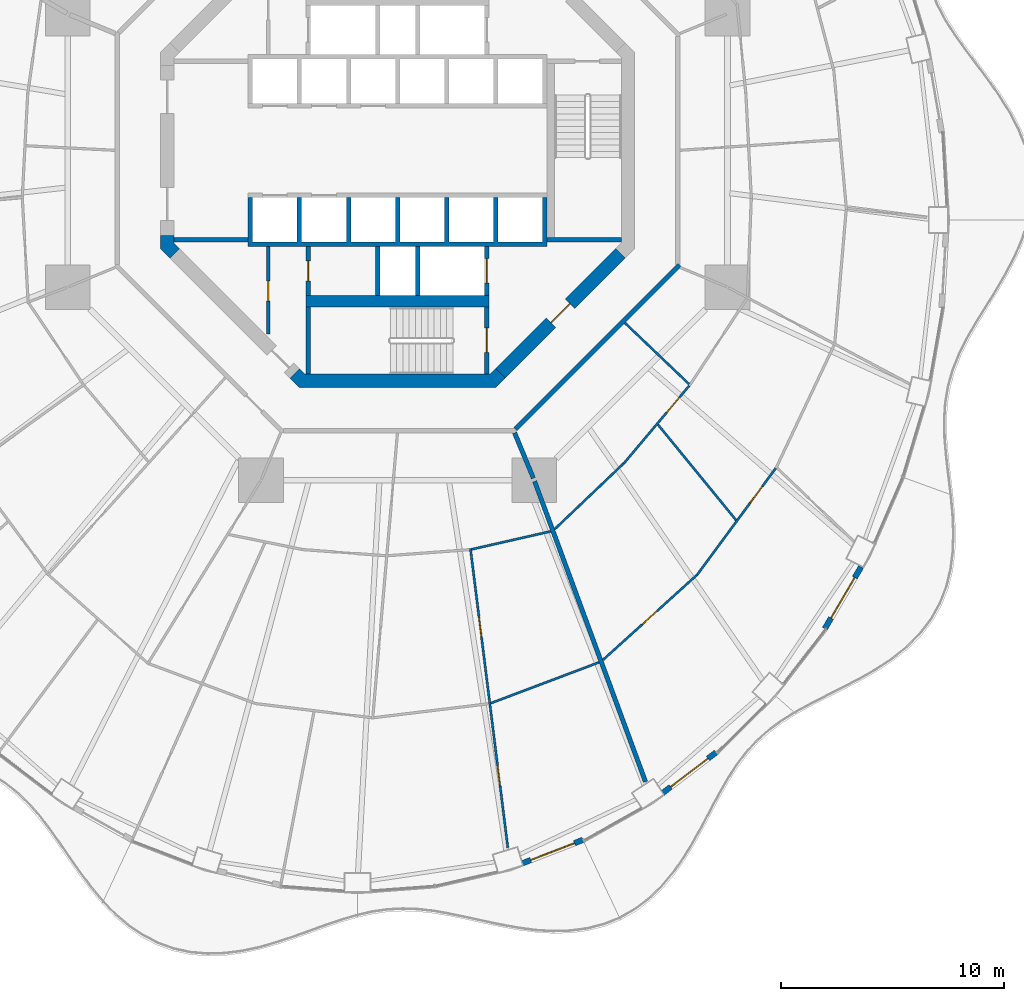
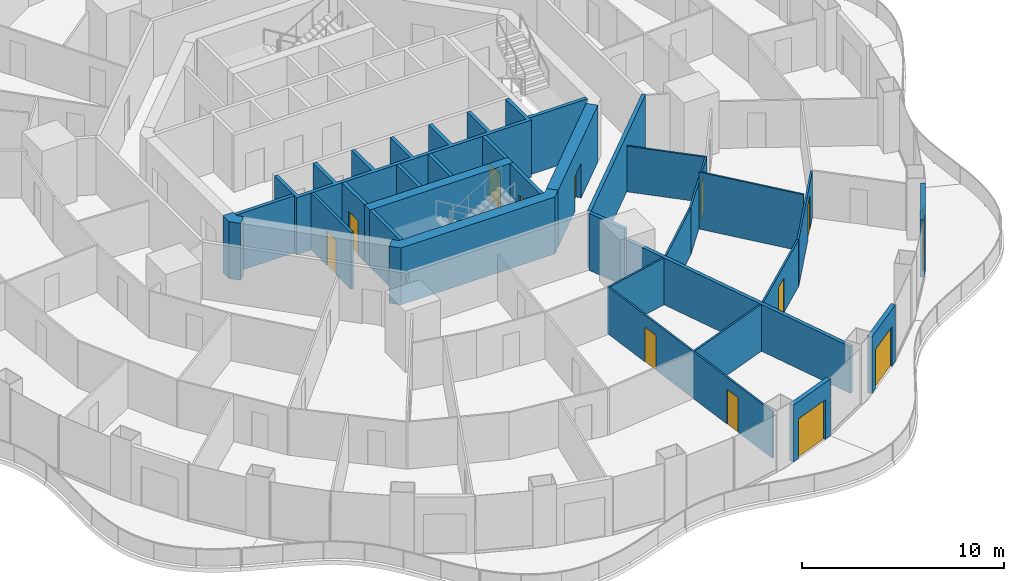
# One storey, part 13 of 20: 29 walls, 13 doors, 13 openings.
"""IFC4 building model written with IfcOpenShell, lengths in metres."""

from ifc_helpers import new_model, si_unit, direction, frame, frame_2d, origin, place, context, subcontext, project, spatial, polyline, rectangle, outline, extrude, material, layer, layer_set, type_object, element, fill, save


model = new_model("IFC4")

# Units and contexts
model_context = context("Model", 3, precision=1e-05, world=origin(), true_north=direction((0.0, 1.0)))
body_context = subcontext(model_context, "Body", "Model", "MODEL_VIEW")
ifc_project = project(units=[si_unit("LENGTHUNIT", "METRE"), si_unit("AREAUNIT", "SQUARE_METRE"), si_unit("VOLUMEUNIT", "CUBIC_METRE"), si_unit("PLANEANGLEUNIT", "RADIAN"), si_unit("MASSUNIT", "GRAM", prefix="KILO")], contexts=[model_context])

# Site, building, storey
site_placement = place(None, origin())
site = spatial("IfcSite", under=ifc_project, at=site_placement, CompositionType="ELEMENT")
building_placement = place(site_placement, origin())
building = spatial("IfcBuilding", under=site, at=building_placement, Name="Nagisa Residences", CompositionType="ELEMENT")
storey_placement = place(building_placement, frame((0.0, 0.0, 123.300048828125)))
storey = spatial("IfcBuildingStorey", under=building, at=storey_placement, Name="L30", CompositionType="ELEMENT", Elevation=123.300048828125)

# Walls
ifc_material_1 = material(Name="Gypsum board on steel studs", Category="steel")
ifc_layer_1 = layer(ifc_material_1, 0.199951171875)
ifc_layer_set_1 = layer_set([ifc_layer_1], Name="Apartment compartment wall EI60 200")
wall_type_1 = type_object("IfcWallType", Name="Apartment compartment wall EI60 200", PredefinedType="PARTITIONING", material=ifc_layer_set_1)
wall_1_placement = place(storey_placement, frame((5.24267578125, -12.6572265625, 0.0), z_axis=(0.0, 0.0, 1.0), x_axis=(0.38273085373, -0.923859888513, 0.0)))
element("IfcWall", 1, at=wall_1_placement, inside=storey, type_object=wall_type_1, Name="wall:L30:u04", PredefinedType="PARTITIONING", context=body_context, shape_type="SweptSolid", body=[
    extrude(rectangle(XDim=2.199462890625, YDim=0.199951171875, at=frame_2d((1.099609375, 0.0))), origin(), (0.0, 0.0, 1.0), 3.43994140625),
])
wall_2_placement = place(storey_placement, frame((6.14013671875, -14.8291015625, 0.0), z_axis=(0.0, 0.0, 1.0), x_axis=(0.346169582481, -0.938171956608, 0.0)))
element("IfcWall", 2, at=wall_2_placement, inside=storey, type_object=wall_type_1, Name="wall:L30:u05", PredefinedType="PARTITIONING", context=body_context, shape_type="SweptSolid", body=[
    extrude(rectangle(XDim=14.353515625, YDim=0.199951171875, at=frame_2d((7.1767578125, 0.0))), origin(), (0.0, 0.0, 1.0), 2.827880859375),
])
ifc_material_2 = material(Name="Gypsum board on steel studs", Category="steel")
ifc_layer_2 = layer(ifc_material_2, 0.199951171875)
ifc_layer_set_2 = layer_set([ifc_layer_2], Name="Apartment entry wall EI60 200")
wall_type_2 = type_object("IfcWallType", Name="Apartment entry wall EI60 200", PredefinedType="PARTITIONING", material=ifc_layer_set_2)
wall_3_placement = place(storey_placement, frame((5.275146484375, -12.494140625, 0.0), z_axis=(0.0, 0.0, 1.0), x_axis=(0.707106781187, 0.707106781187, 0.0)))
element("IfcWall", 3, at=wall_3_placement, inside=storey, type_object=wall_type_2, Name="wall:L30:u13", PredefinedType="PARTITIONING", context=body_context, shape_type="SweptSolid", body=[
    extrude(rectangle(XDim=10.4091796875, YDim=0.199951171875, at=frame_2d((5.20458984375, 0.0))), origin(), (0.0, 0.0, 1.0), 3.43994140625),
])

# Wall, openings, doors
ifc_material_3 = material(Name="Gypsum board on steel studs", Category="steel")
ifc_layer_3 = layer(ifc_material_3, 0.10009765625)
ifc_layer_set_3 = layer_set([ifc_layer_3], Name="Apartment partition 100")
wall_type_3 = type_object("IfcWallType", Name="Apartment partition 100", PredefinedType="PARTITIONING", material=ifc_layer_set_3)
wall_4_placement = place(storey_placement, frame((3.26171875, -17.83935546875, 0.0), z_axis=(0.0, 0.0, 1.0), x_axis=(0.124074750982, -0.992272873845, 0.0)))
wall_4 = element("IfcWall", 4, at=wall_4_placement, inside=storey, type_object=wall_type_3, Name="wall:L30:u83", PredefinedType="PARTITIONING", context=body_context, shape_type="SweptSolid", body=[
    extrude(rectangle(XDim=13.51611328125, YDim=0.10009765625, at=frame_2d((6.758056640625, 0.0))), origin(), (0.0, 0.0, 1.0), 2.827880859375),
])
opening_1_placement = place(wall_4_placement, frame((3.07763671875, 0.0, 0.0)))
opening_1 = element("IfcOpeningElement", 5, at=opening_1_placement, cuts=wall_4, Name="Opening L30-U23", PredefinedType="OPENING", context=body_context, shape_type="SweptSolid", body=[
    extrude(rectangle(XDim=0.89990234375, YDim=2.10009765625, at=frame_2d((0.449951171875, 1.050048828125))), frame((0.0, 0.06005859375, 0.0), z_axis=(0.0, -1.0, 0.0), x_axis=(1.0, 0.0, 0.0)), (0.0, 0.0, 1.0), 0.1201171875),
])
opening_2_placement = place(wall_4_placement, frame((9.810791015625, 0.0, 0.0)))
opening_2 = element("IfcOpeningElement", 6, at=opening_2_placement, cuts=wall_4, Name="Opening L30-U30", PredefinedType="OPENING", context=body_context, shape_type="SweptSolid", body=[
    extrude(rectangle(XDim=0.89990234375, YDim=2.10009765625, at=frame_2d((0.449951171875, 1.050048828125))), frame((0.0, 0.06005859375, 0.0), z_axis=(0.0, -1.0, 0.0), x_axis=(1.0, 0.0, 0.0)), (0.0, 0.0, 1.0), 0.1201171875),
])
ifc_material_4 = material(Name="Timber door set", Category="wood")
door_type_1 = type_object("IfcDoorType", Name="Apartment door 900x2100", OperationType="NOTDEFINED", PredefinedType="DOOR", material=ifc_material_4)
door_1_placement = place(opening_1_placement, origin())
door_1 = element("IfcDoor", 7, at=door_1_placement, inside=storey, type_object=door_type_1, Name="Door to dining room, Apartment 30B", OperationType="SINGLE_SWING_LEFT", OverallHeight=2.10009765625, OverallWidth=0.89990234375, PredefinedType="DOOR", context=body_context, shape_type="SweptSolid", body=[
    extrude(rectangle(XDim=0.89990234375, YDim=2.10009765625, at=frame_2d((0.449951171875, 1.050048828125))), frame((0.0, 0.02490234375, 0.0), z_axis=(0.0, -1.0, 0.0), x_axis=(1.0, 0.0, 0.0)), (0.0, 0.0, 1.0), 0.050048828125),
])
fill(opening_1, door_1)
door_2_placement = place(opening_2_placement, origin())
door_2 = element("IfcDoor", 8, at=door_2_placement, inside=storey, type_object=door_type_1, Name="Door to master bedroom, Apartment 30B", OperationType="SINGLE_SWING_RIGHT", OverallHeight=2.10009765625, OverallWidth=0.89990234375, PredefinedType="DOOR", context=body_context, shape_type="SweptSolid", body=[
    extrude(rectangle(XDim=0.89990234375, YDim=2.10009765625, at=frame_2d((0.449951171875, 1.050048828125))), frame((0.0, 0.02490234375, 0.0), z_axis=(0.0, -1.0, 0.0), x_axis=(1.0, 0.0, 0.0)), (0.0, 0.0, 1.0), 0.050048828125),
])
fill(opening_2, door_2)

# Walls
wall_5_placement = place(storey_placement, frame((3.316650390625, -17.8779296875, 0.0), z_axis=(0.0, 0.0, 1.0), x_axis=(0.975095905288, 0.221783623135, 0.0)))
element("IfcWall", 9, at=wall_5_placement, inside=storey, type_object=wall_type_3, Name="wall:L30:u84", PredefinedType="PARTITIONING", context=body_context, shape_type="SweptSolid", body=[
    extrude(rectangle(XDim=3.635986328125, YDim=0.10009765625, at=frame_2d((1.81787109375, 0.0))), origin(), (0.0, 0.0, 1.0), 2.827880859375),
])
wall_6_placement = place(storey_placement, frame((4.177734375, -24.77294921875, 0.0), z_axis=(0.0, 0.0, 1.0), x_axis=(0.935583811437, 0.353104703702, 0.0)))
element("IfcWall", 10, at=wall_6_placement, inside=storey, type_object=wall_type_3, Name="wall:L30:u85", PredefinedType="PARTITIONING", context=body_context, shape_type="SweptSolid", body=[
    extrude(rectangle(XDim=5.18359375, YDim=0.10009765625, at=frame_2d((2.591796875, 0.0))), origin(), (0.0, 0.0, 1.0), 2.827880859375),
])
wall_7_placement = place(storey_placement, frame((7.031982421875, -16.98046875, 0.0), z_axis=(0.0, 0.0, 1.0), x_axis=(0.723709759148, 0.690104473622, 0.0)))
element("IfcWall", 11, at=wall_7_placement, inside=storey, type_object=wall_type_3, Name="wall:L30:u86", PredefinedType="PARTITIONING", context=body_context, shape_type="SweptSolid", body=[
    extrude(rectangle(XDim=4.286376953125, YDim=0.10009765625, at=frame_2d((2.14306640625, 0.0))), origin(), (0.0, 0.0, 1.0), 2.827880859375),
])

# Wall, opening, door
wall_8_placement = place(storey_placement, frame((9.195068359375, -22.84033203125, 0.0), z_axis=(0.0, 0.0, 1.0), x_axis=(0.741675855479, 0.670758470241, 0.0)))
wall_8 = element("IfcWall", 12, at=wall_8_placement, inside=storey, type_object=wall_type_3, Name="wall:L30:u87", PredefinedType="PARTITIONING", context=body_context, shape_type="SweptSolid", body=[
    extrude(rectangle(XDim=5.65625, YDim=0.10009765625, at=frame_2d((2.828125, 0.0))), origin(), (0.0, 0.0, 1.0), 2.827880859375),
])
opening_3_placement = place(wall_8_placement, frame((2.3779296875, 0.0, 0.0)))
opening_3 = element("IfcOpeningElement", 13, at=opening_3_placement, cuts=wall_8, Name="Opening L30-U52", PredefinedType="OPENING", context=body_context, shape_type="SweptSolid", body=[
    extrude(rectangle(XDim=0.89990234375, YDim=2.10009765625, at=frame_2d((0.449951171875, 1.050048828125))), frame((0.0, 0.06005859375, 0.0), z_axis=(0.0, -1.0, 0.0), x_axis=(1.0, 0.0, 0.0)), (0.0, 0.0, 1.0), 0.1201171875),
])
door_3_placement = place(opening_3_placement, origin())
door_3 = element("IfcDoor", 14, at=door_3_placement, inside=storey, type_object=door_type_1, Name="Door to dining room, Apartment 30C", OperationType="SINGLE_SWING_RIGHT", OverallHeight=2.10009765625, OverallWidth=0.89990234375, PredefinedType="DOOR", context=body_context, shape_type="SweptSolid", body=[
    extrude(rectangle(XDim=0.89990234375, YDim=2.10009765625, at=frame_2d((0.449951171875, 1.050048828125))), frame((0.0, 0.02490234375, 0.0), z_axis=(0.0, -1.0, 0.0), x_axis=(1.0, 0.0, 0.0)), (0.0, 0.0, 1.0), 0.050048828125),
])
fill(opening_3, door_3)

wall_9_placement = place(storey_placement, frame((10.13818359375, -14.026123046875, 0.0), z_axis=(0.0, 0.0, 1.0), x_axis=(0.644051444483, 0.764982180746, 0.0)))
wall_9 = element("IfcWall", 15, at=wall_9_placement, inside=storey, type_object=wall_type_3, Name="wall:L30:u88", PredefinedType="PARTITIONING", context=body_context, shape_type="SweptSolid", body=[
    extrude(rectangle(XDim=4.54833984375, YDim=0.10009765625, at=frame_2d((2.274169921875, 0.0))), origin(), (0.0, 0.0, 1.0), 2.827880859375),
])
opening_4_placement = place(wall_9_placement, frame((2.986328125, 0.0, 0.0)))
opening_4 = element("IfcOpeningElement", 16, at=opening_4_placement, cuts=wall_9, Name="Opening L30-U50", PredefinedType="OPENING", context=body_context, shape_type="SweptSolid", body=[
    extrude(rectangle(XDim=0.89990234375, YDim=2.10009765625, at=frame_2d((0.449951171875, 1.050048828125))), frame((0.0, 0.06005859375, 0.0), z_axis=(0.0, -1.0, 0.0), x_axis=(1.0, 0.0, 0.0)), (0.0, 0.0, 1.0), 0.1201171875),
])
door_4_placement = place(opening_4_placement, origin())
door_4 = element("IfcDoor", 17, at=door_4_placement, inside=storey, type_object=door_type_1, Name="Door to store, Apartment 30C", OperationType="SINGLE_SWING_RIGHT", OverallHeight=2.10009765625, OverallWidth=0.89990234375, PredefinedType="DOOR", context=body_context, shape_type="SweptSolid", body=[
    extrude(rectangle(XDim=0.89990234375, YDim=2.10009765625, at=frame_2d((0.449951171875, 1.050048828125))), frame((0.0, 0.02490234375, 0.0), z_axis=(0.0, -1.0, 0.0), x_axis=(1.0, 0.0, 0.0)), (0.0, 0.0, 1.0), 0.050048828125),
])
fill(opening_4, door_4)

wall_10_placement = place(storey_placement, frame((13.3974609375, -19.05322265625, 0.0), z_axis=(0.0, 0.0, 1.0), x_axis=(0.593522299069, 0.804817544856, 0.0)))
wall_10 = element("IfcWall", 18, at=wall_10_placement, inside=storey, type_object=wall_type_3, Name="wall:L30:u89", PredefinedType="PARTITIONING", context=body_context, shape_type="SweptSolid", body=[
    extrude(rectangle(XDim=5.97607421875, YDim=0.10009765625, at=frame_2d((2.988037109375, 0.0))), origin(), (0.0, 0.0, 1.0), 2.827880859375),
])
opening_5_placement = place(wall_10_placement, frame((4.056884765625, 0.0, 0.0)))
opening_5 = element("IfcOpeningElement", 19, at=opening_5_placement, cuts=wall_10, Name="Opening L30-U48", PredefinedType="OPENING", context=body_context, shape_type="SweptSolid", body=[
    extrude(rectangle(XDim=0.89990234375, YDim=2.10009765625, at=frame_2d((0.449951171875, 1.050048828125))), frame((0.0, 0.06005859375, 0.0), z_axis=(0.0, -1.0, 0.0), x_axis=(1.0, 0.0, 0.0)), (0.0, 0.0, 1.0), 0.1201171875),
])
door_5_placement = place(opening_5_placement, frame((0.89990234375, 0.0, 0.0), x_axis=(-1.0, 0.0, 0.0)))
door_5 = element("IfcDoor", 20, at=door_5_placement, inside=storey, type_object=door_type_1, Name="Door to living room, Apartment 30C", OperationType="SINGLE_SWING_LEFT", OverallHeight=2.10009765625, OverallWidth=0.89990234375, PredefinedType="DOOR", context=body_context, shape_type="SweptSolid", body=[
    extrude(rectangle(XDim=0.89990234375, YDim=2.10009765625, at=frame_2d((0.449951171875, 1.050048828125))), frame((0.0, 0.02490234375, 0.0), z_axis=(0.0, -1.0, 0.0), x_axis=(1.0, 0.0, 0.0)), (0.0, 0.0, 1.0), 0.050048828125),
])
fill(opening_5, door_5)

# Walls
wall_11_placement = place(storey_placement, frame((11.666748046875, -12.286865234375, 0.0), z_axis=(0.0, 0.0, 1.0), x_axis=(0.633038312428, -0.774120465431, 0.0)))
element("IfcWall", 21, at=wall_11_placement, inside=storey, type_object=wall_type_3, Name="wall:L30:u90", PredefinedType="PARTITIONING", context=body_context, shape_type="SweptSolid", body=[
    extrude(rectangle(XDim=5.532470703125, YDim=0.10009765625, at=frame_2d((2.76611328125, 0.0))), origin(), (0.0, 0.0, 1.0), 3.43994140625),
])
wall_12_placement = place(storey_placement, frame((10.18359375, -7.72705078125, 0.0), z_axis=(0.0, 0.0, 1.0), x_axis=(0.723654892782, -0.690162007179, 0.0)))
element("IfcWall", 22, at=wall_12_placement, inside=storey, type_object=wall_type_3, Name="wall:L30:u91", PredefinedType="PARTITIONING", context=body_context, shape_type="SweptSolid", body=[
    extrude(rectangle(XDim=3.97998046875, YDim=0.10009765625, at=frame_2d((1.989990234375, 0.0))), origin(), (0.0, 0.0, 1.0), 2.755859375),
])

# Wall, opening, door
ifc_material_5 = material(Name="Precast concrete C40/50", Category="concrete")
ifc_layer_4 = layer(ifc_material_5, 0.25)
ifc_layer_set_4 = layer_set([ifc_layer_4], Name="BALCONY DOOR WALL 250")
wall_type_4 = type_object("IfcWallType", Name="BALCONY DOOR WALL 250", PredefinedType="SOLIDWALL", material=ifc_layer_set_4)
wall_13_placement = place(storey_placement, frame((8.3095703125, -30.897705078125, 0.0), z_axis=(0.0, 0.0, 1.0), x_axis=(-0.932845344347, -0.360277064952, 0.0)))
wall_13 = element("IfcWall", 23, at=wall_13_placement, inside=storey, type_object=wall_type_4, Name="wall:L30:bay38", PredefinedType="SOLIDWALL", context=body_context, shape_type="SweptSolid", body=[
    extrude(rectangle(XDim=2.92333984375, YDim=0.25, at=frame_2d((1.461669921875, 0.0))), origin(), (0.0, 0.0, 1.0), 3.43994140625),
])
opening_6_placement = place(wall_13_placement, frame((0.41162109375, 0.0, 0.0)))
opening_6 = element("IfcOpeningElement", 24, at=opening_6_placement, cuts=wall_13, Name="Opening BD-L30-13", PredefinedType="OPENING", context=body_context, shape_type="SweptSolid", body=[
    extrude(rectangle(XDim=2.10009765625, YDim=2.39990234375, at=frame_2d((1.050048828125, 1.199951171875))), frame((0.0, 0.135009765625, 0.0), z_axis=(0.0, -1.0, 0.0), x_axis=(1.0, 0.0, 0.0)), (0.0, 0.0, 1.0), 0.27001953125),
])
ifc_material_6 = material(Name="Aluminium and clear glass", Category="aluminium")
door_type_2 = type_object("IfcDoorType", Name="BALCONY SLIDING DOOR 2100x2400", OperationType="SLIDING_TO_LEFT", PredefinedType="DOOR", material=ifc_material_6)
door_6_placement = place(opening_6_placement, origin())
door_6 = element("IfcDoor", 25, at=door_6_placement, inside=storey, type_object=door_type_2, Name="door:L30:bay38", OperationType="SLIDING_TO_LEFT", OverallHeight=2.39990234375, OverallWidth=2.10009765625, PredefinedType="DOOR", context=body_context, shape_type="SweptSolid", body=[
    extrude(rectangle(XDim=2.10009765625, YDim=2.39990234375, at=frame_2d((1.050048828125, 1.199951171875))), frame((0.0, 0.02490234375, 0.0), z_axis=(0.0, -1.0, 0.0), x_axis=(1.0, 0.0, 0.0)), (0.0, 0.0, 1.0), 0.050048828125),
])
fill(opening_6, door_6)

wall_14_placement = place(storey_placement, frame((14.27783203125, -26.973388671875, 0.0), z_axis=(0.0, 0.0, 1.0), x_axis=(-0.796022231079, -0.605267385233, 0.0)))
wall_14 = element("IfcWall", 26, at=wall_14_placement, inside=storey, type_object=wall_type_4, Name="wall:L30:bay40", PredefinedType="SOLIDWALL", context=body_context, shape_type="SweptSolid", body=[
    extrude(rectangle(XDim=3.025634765625, YDim=0.25, at=frame_2d((1.5126953125, 0.0))), origin(), (0.0, 0.0, 1.0), 3.43994140625),
])
opening_7_placement = place(wall_14_placement, frame((0.462646484375, 0.0, 0.0)))
opening_7 = element("IfcOpeningElement", 27, at=opening_7_placement, cuts=wall_14, Name="Opening BD-L30-14", PredefinedType="OPENING", context=body_context, shape_type="SweptSolid", body=[
    extrude(rectangle(XDim=2.10009765625, YDim=2.39990234375, at=frame_2d((1.050048828125, 1.199951171875))), frame((0.0, 0.135009765625, 0.0), z_axis=(0.0, -1.0, 0.0), x_axis=(1.0, 0.0, 0.0)), (0.0, 0.0, 1.0), 0.27001953125),
])
door_7_placement = place(opening_7_placement, origin())
door_7 = element("IfcDoor", 28, at=door_7_placement, inside=storey, type_object=door_type_2, Name="door:L30:bay40", OperationType="SLIDING_TO_LEFT", OverallHeight=2.39990234375, OverallWidth=2.10009765625, PredefinedType="DOOR", context=body_context, shape_type="SweptSolid", body=[
    extrude(rectangle(XDim=2.10009765625, YDim=2.39990234375, at=frame_2d((1.050048828125, 1.199951171875))), frame((0.0, 0.02490234375, 0.0), z_axis=(0.0, -1.0, 0.0), x_axis=(1.0, 0.0, 0.0)), (0.0, 0.0, 1.0), 0.050048828125),
])
fill(opening_7, door_7)

wall_15_placement = place(storey_placement, frame((20.768310546875, -18.669189453125, 0.0), z_axis=(0.0, 0.0, 1.0), x_axis=(-0.506314982873, -0.862348617508, 0.0)))
wall_15 = element("IfcWall", 29, at=wall_15_placement, inside=storey, type_object=wall_type_4, Name="wall:L30:bay43", PredefinedType="SOLIDWALL", context=body_context, shape_type="SweptSolid", body=[
    extrude(rectangle(XDim=3.20849609375, YDim=0.25, at=frame_2d((1.604248046875, 0.0))), origin(), (0.0, 0.0, 1.0), 3.43994140625),
])
opening_8_placement = place(wall_15_placement, frame((0.55419921875, 0.0, 0.0)))
opening_8 = element("IfcOpeningElement", 30, at=opening_8_placement, cuts=wall_15, Name="Opening BD-L30-15", PredefinedType="OPENING", context=body_context, shape_type="SweptSolid", body=[
    extrude(rectangle(XDim=2.10009765625, YDim=2.39990234375, at=frame_2d((1.050048828125, 1.199951171875))), frame((0.0, 0.135009765625, 0.0), z_axis=(0.0, -1.0, 0.0), x_axis=(1.0, 0.0, 0.0)), (0.0, 0.0, 1.0), 0.27001953125),
])
door_8_placement = place(opening_8_placement, origin())
door_8 = element("IfcDoor", 31, at=door_8_placement, inside=storey, type_object=door_type_2, Name="door:L30:bay43", OperationType="SLIDING_TO_LEFT", OverallHeight=2.39990234375, OverallWidth=2.10009765625, PredefinedType="DOOR", context=body_context, shape_type="SweptSolid", body=[
    extrude(rectangle(XDim=2.10009765625, YDim=2.39990234375, at=frame_2d((1.050048828125, 1.199951171875))), frame((0.0, 0.02490234375, 0.0), z_axis=(0.0, -1.0, 0.0), x_axis=(1.0, 0.0, 0.0)), (0.0, 0.0, 1.0), 0.050048828125),
])
fill(opening_8, door_8)

ifc_material_7 = material(Name="Gypsum board on steel studs", Category="steel")
ifc_layer_5 = layer(ifc_material_7, 0.14990234375)
ifc_layer_set_5 = layer_set([ifc_layer_5], Name="Core partition 150")
wall_type_5 = type_object("IfcWallType", Name="Core partition 150", PredefinedType="PARTITIONING", material=ifc_layer_set_5)
wall_16_placement = place(storey_placement, frame((-5.800048828125, -8.22705078125, 0.0), z_axis=(0.0, 0.0, 1.0), x_axis=(0.0, 1.0, 0.0)))
wall_16 = element("IfcWall", 32, at=wall_16_placement, inside=storey, type_object=wall_type_5, Name="wall:L30:SWp", PredefinedType="PARTITIONING", context=body_context, shape_type="SweptSolid", body=[
    extrude(rectangle(XDim=3.927001953125, YDim=0.14990234375, at=frame_2d((1.96337890625, 0.0))), origin(), (0.0, 0.0, 1.0), 3.43994140625),
])
opening_9_placement = place(wall_16_placement, frame((1.47607421875, 0.0, 0.0)))
opening_9 = element("IfcOpeningElement", 33, at=opening_9_placement, cuts=wall_16, Name="Opening L30-C13", PredefinedType="OPENING", context=body_context, shape_type="SweptSolid", body=[
    extrude(rectangle(XDim=0.89990234375, YDim=2.10009765625, at=frame_2d((0.449951171875, 1.050048828125))), frame((0.0, 0.0849609375, 0.0), z_axis=(0.0, -1.0, 0.0), x_axis=(1.0, 0.0, 0.0)), (0.0, 0.0, 1.0), 0.169921875),
])
ifc_material_8 = material(Name="Steel fire door", Category="steel")
door_type_3 = type_object("IfcDoorType", Name="Fire door EI30 900x2100 single swing", OperationType="NOTDEFINED", PredefinedType="DOOR", material=ifc_material_8)
door_9_placement = place(opening_9_placement, origin())
door_9 = element("IfcDoor", 34, at=door_9_placement, inside=storey, type_object=door_type_3, Name="Telecom room door L30", OperationType="SINGLE_SWING_LEFT", OverallHeight=2.10009765625, OverallWidth=0.89990234375, PredefinedType="DOOR", context=body_context, shape_type="SweptSolid", body=[
    extrude(rectangle(XDim=0.89990234375, YDim=2.10009765625, at=frame_2d((0.449951171875, 1.050048828125))), frame((0.0, 0.02490234375, 0.0), z_axis=(0.0, -1.0, 0.0), x_axis=(1.0, 0.0, 0.0)), (0.0, 0.0, 1.0), 0.050048828125),
])
fill(opening_9, door_9)

# Wall
ifc_material_9 = material(Name="Gypsum board on steel studs", Category="steel")
ifc_layer_6 = layer(ifc_material_9, 0.199951171875)
ifc_layer_set_6 = layer_set([ifc_layer_6], Name="Core partition 200")
wall_type_6 = type_object("IfcWallType", Name="Core partition 200", PredefinedType="PARTITIONING", material=ifc_layer_set_6)
wall_17_placement = place(storey_placement, frame((-10.024658203125, -4.0, 0.0), z_axis=(0.0, 0.0, 1.0), x_axis=(1.0, 0.0, 0.0)))
element("IfcWall", 35, at=wall_17_placement, inside=storey, type_object=wall_type_6, Name="wall:L30:PSW", PredefinedType="PARTITIONING", context=body_context, shape_type="SweptSolid", body=[
    extrude(rectangle(XDim=3.32470703125, YDim=0.199951171875, at=frame_2d((1.662353515625, 0.0))), origin(), (0.0, 0.0, 1.0), 3.43994140625),
])

# Wall, opening, door
ifc_material_10 = material(Name="Concrete C60", Category="concrete")
ifc_layer_7 = layer(ifc_material_10, 0.60009765625)
ifc_layer_set_7 = layer_set([ifc_layer_7], Name="Core shear wall 600")
wall_type_7 = type_object("IfcWallType", Name="Core shear wall 600", PredefinedType="SHEAR", material=ifc_layer_set_7)
wall_18_placement = place(storey_placement, frame((4.613037109375, -9.98828125, 0.0), z_axis=(0.0, 0.0, 1.0), x_axis=(0.707106781187, 0.707106781187, 0.0)))
wall_18 = element("IfcWall", 36, at=wall_18_placement, inside=storey, type_object=wall_type_7, Name="wall:L30:core:flat7", PredefinedType="SHEAR", context=body_context, shape_type="SweptSolid", body=[
    extrude(rectangle(XDim=7.601806640625, YDim=0.60009765625, at=frame_2d((3.80078125, 0.0))), origin(), (0.0, 0.0, 1.0), 3.43994140625),
])
opening_10_placement = place(wall_18_placement, frame((3.200927734375, 0.0, 0.0)))
opening_10 = element("IfcOpeningElement", 37, at=opening_10_placement, cuts=wall_18, Name="Opening L30-C16", PredefinedType="OPENING", context=body_context, shape_type="SweptSolid", body=[
    extrude(rectangle(XDim=1.199951171875, YDim=2.10009765625, at=frame_2d((0.60009765625, 1.050048828125))), frame((0.0, 0.31005859375, 0.0), z_axis=(0.0, -1.0, 0.0), x_axis=(1.0, 0.0, 0.0)), (0.0, 0.0, 1.0), 0.6201171875),
])
ifc_material_11 = material(Name="Steel fire door", Category="steel")
door_type_4 = type_object("IfcDoorType", Name="Fire door EI60 1200x2100 single swing", OperationType="NOTDEFINED", PredefinedType="DOOR", material=ifc_material_11)
door_10_placement = place(opening_10_placement, origin())
door_10 = element("IfcDoor", 38, at=door_10_placement, inside=storey, type_object=door_type_4, Name="Firefighting lobby 2 door L30", OperationType="SINGLE_SWING_RIGHT", OverallHeight=2.10009765625, OverallWidth=1.199951171875, PredefinedType="DOOR", context=body_context, shape_type="SweptSolid", body=[
    extrude(rectangle(XDim=1.199951171875, YDim=2.10009765625, at=frame_2d((0.60009765625, 1.050048828125))), frame((0.0, 0.02490234375, 0.0), z_axis=(0.0, -1.0, 0.0), x_axis=(1.0, 0.0, 0.0)), (0.0, 0.0, 1.0), 0.050048828125),
])
fill(opening_10, door_10)

# Walls
wall_19_placement = place(storey_placement, origin())
element("IfcWall", 39, at=wall_19_placement, inside=storey, type_object=wall_type_7, Name="wall:L30:core:pier4", PredefinedType="SHEAR", context=body_context, shape_type="SweptSolid", body=[
    extrude(outline(polyline([(-10.62451171875, -3.80078125), (-10.024658203125, -3.80078125), (-10.024658203125, -4.15234375), (-9.776123046875, -4.40087890625), (-10.200439453125, -4.8251953125), (-10.62451171875, -4.40087890625), (-10.62451171875, -3.80078125)])), origin(), (0.0, 0.0, 1.0), 3.43994140625),
])
wall_20_placement = place(storey_placement, origin())
element("IfcWall", 40, at=wall_20_placement, inside=storey, type_object=wall_type_7, Name="wall:L30:core:flat6", PredefinedType="SHEAR", context=body_context, shape_type="SweptSolid", body=[
    extrude(outline(polyline([(-4.15234375, -10.024658203125), (4.15234375, -10.024658203125), (4.40087890625, -9.776123046875), (4.8251953125, -10.200439453125), (4.40087890625, -10.62451171875), (-4.40087890625, -10.62451171875), (-4.8251953125, -10.200439453125), (-4.40087890625, -9.776123046875), (-4.15234375, -10.024658203125)])), origin(), (0.0, 0.0, 1.0), 3.43994140625),
])

# Wall, opening, door
ifc_material_12 = material(Name="Concrete C60", Category="concrete")
ifc_layer_8 = layer(ifc_material_12, 0.199951171875)
ifc_layer_set_8 = layer_set([ifc_layer_8], Name="Lift shaft wall 200")
wall_type_8 = type_object("IfcWallType", Name="Lift shaft wall 200", PredefinedType="SOLIDWALL", material=ifc_layer_set_8)
wall_21_placement = place(storey_placement, frame((4.0, -6.5, 0.0), z_axis=(0.0, 0.0, 1.0), x_axis=(0.0, 1.0, 0.0)))
wall_21 = element("IfcWall", 41, at=wall_21_placement, inside=storey, type_object=wall_type_8, Name="wall:L30:Sb3", PredefinedType="SOLIDWALL", context=body_context, shape_type="SweptSolid", body=[
    extrude(rectangle(XDim=2.199951171875, YDim=0.199951171875, at=frame_2d((1.10009765625, 0.0))), origin(), (0.0, 0.0, 1.0), 3.43994140625),
])
opening_11_placement = place(wall_21_placement, frame((0.550048828125, 0.0, 0.0)))
opening_11 = element("IfcOpeningElement", 42, at=opening_11_placement, cuts=wall_21, Name="Opening L30-C07", PredefinedType="OPENING", context=body_context, shape_type="SweptSolid", body=[
    extrude(rectangle(XDim=1.10009765625, YDim=2.10009765625, at=frame_2d((0.550048828125, 1.050048828125))), frame((0.0, 0.10986328125, 0.0), z_axis=(0.0, -1.0, 0.0), x_axis=(1.0, 0.0, 0.0)), (0.0, 0.0, 1.0), 0.219970703125),
])
ifc_material_13 = material(Name="Stainless steel", Category="steel")
door_type_5 = type_object("IfcDoorType", Name="Lift landing door 1100x2100", OperationType="DOUBLE_DOOR_SLIDING", PredefinedType="DOOR", material=ifc_material_13)
door_11_placement = place(opening_11_placement, origin())
door_11 = element("IfcDoor", 43, at=door_11_placement, inside=storey, type_object=door_type_5, Name="Landing door FL2 L30", OperationType="DOUBLE_DOOR_SLIDING", OverallHeight=2.10009765625, OverallWidth=1.10009765625, PredefinedType="DOOR", context=body_context, shape_type="SweptSolid", body=[
    extrude(rectangle(XDim=1.10009765625, YDim=2.10009765625, at=frame_2d((0.550048828125, 1.050048828125))), frame((0.0, 0.02490234375, 0.0), z_axis=(0.0, -1.0, 0.0), x_axis=(1.0, 0.0, 0.0)), (0.0, 0.0, 1.0), 0.050048828125),
])
fill(opening_11, door_11)

wall_22_placement = place(storey_placement, frame((-4.0, -6.5, 0.0), z_axis=(0.0, 0.0, 1.0), x_axis=(0.0, 1.0, 0.0)))
wall_22 = element("IfcWall", 44, at=wall_22_placement, inside=storey, type_object=wall_type_8, Name="wall:L30:Sb4", PredefinedType="SOLIDWALL", context=body_context, shape_type="SweptSolid", body=[
    extrude(rectangle(XDim=2.199951171875, YDim=0.199951171875, at=frame_2d((1.10009765625, 0.0))), origin(), (0.0, 0.0, 1.0), 3.43994140625),
])
opening_12_placement = place(wall_22_placement, frame((0.64990234375, 0.0, 0.0)))
opening_12 = element("IfcOpeningElement", 45, at=opening_12_placement, cuts=wall_22, Name="Opening L30-C14", PredefinedType="OPENING", context=body_context, shape_type="SweptSolid", body=[
    extrude(rectangle(XDim=0.89990234375, YDim=2.10009765625, at=frame_2d((0.449951171875, 1.050048828125))), frame((0.0, 0.10986328125, 0.0), z_axis=(0.0, -1.0, 0.0), x_axis=(1.0, 0.0, 0.0)), (0.0, 0.0, 1.0), 0.219970703125),
])
door_12_placement = place(opening_12_placement, frame((0.89990234375, 0.0, 0.0), x_axis=(-1.0, 0.0, 0.0)))
door_12 = element("IfcDoor", 46, at=door_12_placement, inside=storey, type_object=door_type_3, Name="Refuse room door L30", OperationType="SINGLE_SWING_RIGHT", OverallHeight=2.10009765625, OverallWidth=0.89990234375, PredefinedType="DOOR", context=body_context, shape_type="SweptSolid", body=[
    extrude(rectangle(XDim=0.89990234375, YDim=2.10009765625, at=frame_2d((0.449951171875, 1.050048828125))), frame((0.0, 0.02490234375, 0.0), z_axis=(0.0, -1.0, 0.0), x_axis=(1.0, 0.0, 0.0)), (0.0, 0.0, 1.0), 0.050048828125),
])
fill(opening_12, door_12)

# Walls
for number, where, z_axis, x_axis, name in (
    (47, (-0.89990234375, -6.5, 0.0), (0.0, 0.0, 1.0), (0.0, 1.0, 0.0), "wall:L30:Sb1"),
    (48, (0.89990234375, -6.5, 0.0), (0.0, 0.0, 1.0), (0.0, 1.0, 0.0), "wall:L30:Sb2"),
):
    element("IfcWall", number, at=place(storey_placement, frame(where, z_axis=z_axis, x_axis=x_axis)), inside=storey, type_object=wall_type_8, Name=name, PredefinedType="SOLIDWALL", context=body_context, shape_type="SweptSolid", body=[
        extrude(rectangle(XDim=2.199951171875, YDim=0.199951171875, at=frame_2d((1.10009765625, 0.0))), origin(), (0.0, 0.0, 1.0), 3.43994140625),
    ])
wall_23_placement = place(storey_placement, origin())
element("IfcWall", 49, at=wall_23_placement, inside=storey, type_object=wall_type_8, Name="wall:L30:Sback", PredefinedType="SOLIDWALL", context=body_context, shape_type="SweptSolid", body=[
    extrude(outline(polyline([(-6.699951171875, -2.10009765625), (-6.5, -2.10009765625), (-6.5, -4.10009765625), (-4.5, -4.10009765625), (-4.5, -2.10009765625), (-4.300048828125, -2.10009765625), (-4.300048828125, -4.10009765625), (-2.300048828125, -4.10009765625), (-2.300048828125, -2.10009765625), (-2.10009765625, -2.10009765625), (-2.10009765625, -4.10009765625), (-0.10009765625, -4.10009765625), (-0.10009765625, -2.10009765625), (0.10009765625, -2.10009765625), (0.10009765625, -4.10009765625), (2.10009765625, -4.10009765625), (2.10009765625, -2.10009765625), (2.300048828125, -2.10009765625), (2.300048828125, -4.10009765625), (4.300048828125, -4.10009765625), (4.300048828125, -2.10009765625), (4.5, -2.10009765625), (4.5, -4.10009765625), (6.5, -4.10009765625), (6.5, -2.10009765625), (6.699951171875, -2.10009765625), (6.699951171875, -4.300048828125), (-6.699951171875, -4.300048828125), (-6.699951171875, -2.10009765625)])), origin(), (0.0, 0.0, 1.0), 3.43994140625),
])

# Wall, opening, door
ifc_material_14 = material(Name="Concrete C60", Category="concrete")
ifc_layer_9 = layer(ifc_material_14, 0.199951171875)
ifc_layer_set_9 = layer_set([ifc_layer_9], Name="Stair enclosure wall 200")
wall_type_9 = type_object("IfcWallType", Name="Stair enclosure wall 200", PredefinedType="SOLIDWALL", material=ifc_layer_set_9)
wall_24_placement = place(storey_placement, frame((4.0, -10.024658203125, 0.0), z_axis=(0.0, 0.0, 1.0), x_axis=(0.0, 1.0, 0.0)))
wall_24 = element("IfcWall", 50, at=wall_24_placement, inside=storey, type_object=wall_type_9, Name="wall:L30:SS_e", PredefinedType="SOLIDWALL", context=body_context, shape_type="SweptSolid", body=[
    extrude(rectangle(XDim=3.0, YDim=0.199951171875, at=frame_2d((1.5, 0.0))), origin(), (0.0, 0.0, 1.0), 3.43994140625),
])
opening_13_placement = place(wall_24_placement, frame((0.974609375, 0.0, 0.0)))
opening_13 = element("IfcOpeningElement", 51, at=opening_13_placement, cuts=wall_24, Name="Opening L30-C11", PredefinedType="OPENING", context=body_context, shape_type="SweptSolid", body=[
    extrude(rectangle(XDim=1.10009765625, YDim=2.10009765625, at=frame_2d((0.550048828125, 1.050048828125))), frame((0.0, 0.10986328125, 0.0), z_axis=(0.0, -1.0, 0.0), x_axis=(1.0, 0.0, 0.0)), (0.0, 0.0, 1.0), 0.219970703125),
])
ifc_material_15 = material(Name="Steel fire door", Category="steel")
door_type_6 = type_object("IfcDoorType", Name="Fire door EI90 1100x2100 single swing", OperationType="NOTDEFINED", PredefinedType="DOOR", material=ifc_material_15)
door_13_placement = place(opening_13_placement, origin())
door_13 = element("IfcDoor", 52, at=door_13_placement, inside=storey, type_object=door_type_6, Name="Stair door ST-S L30", OperationType="SINGLE_SWING_LEFT", OverallHeight=2.10009765625, OverallWidth=1.10009765625, PredefinedType="DOOR", context=body_context, shape_type="SweptSolid", body=[
    extrude(rectangle(XDim=1.10009765625, YDim=2.10009765625, at=frame_2d((0.550048828125, 1.050048828125))), frame((0.0, 0.02490234375, 0.0), z_axis=(0.0, -1.0, 0.0), x_axis=(1.0, 0.0, 0.0)), (0.0, 0.0, 1.0), 0.050048828125),
])
fill(opening_13, door_13)

# Walls
wall_25_placement = place(storey_placement, origin())
element("IfcWall", 53, at=wall_25_placement, inside=storey, type_object=wall_type_9, Name="wall:L30:SS_w", PredefinedType="SOLIDWALL", context=body_context, shape_type="SweptSolid", body=[
    extrude(outline(polyline([(-3.89990234375, -10.024658203125), (-4.10009765625, -10.024658203125), (-4.10009765625, -7.024658203125), (-3.89990234375, -7.024658203125), (-3.89990234375, -10.024658203125)])), origin(), (0.0, 0.0, 1.0), 3.43994140625),
])
wall_26_placement = place(storey_placement, origin())
element("IfcWall", 54, at=wall_26_placement, inside=storey, type_object=wall_type_9, Name="wall:L30:SS_n", PredefinedType="SOLIDWALL", context=body_context, shape_type="SweptSolid", body=[
    extrude(outline(polyline([(4.10009765625, -7.024658203125), (-4.10009765625, -7.024658203125), (-4.10009765625, -6.5), (4.10009765625, -6.5), (4.10009765625, -7.024658203125)])), origin(), (0.0, 0.0, 1.0), 3.43994140625),
])
wall_27_placement = place(storey_placement, origin())
element("IfcWall", 55, at=wall_27_placement, inside=storey, type_object=wall_type_9, Name="wall:L30:SE_s", PredefinedType="SOLIDWALL", context=body_context, shape_type="SweptSolid", body=[
    extrude(outline(polyline([(10.024658203125, -4.10009765625), (6.699951171875, -4.10009765625), (6.699951171875, -3.89990234375), (10.024658203125, -3.89990234375), (10.024658203125, -4.10009765625)])), origin(), (0.0, 0.0, 1.0), 3.43994140625),
])

save(model, "model.ifc")
